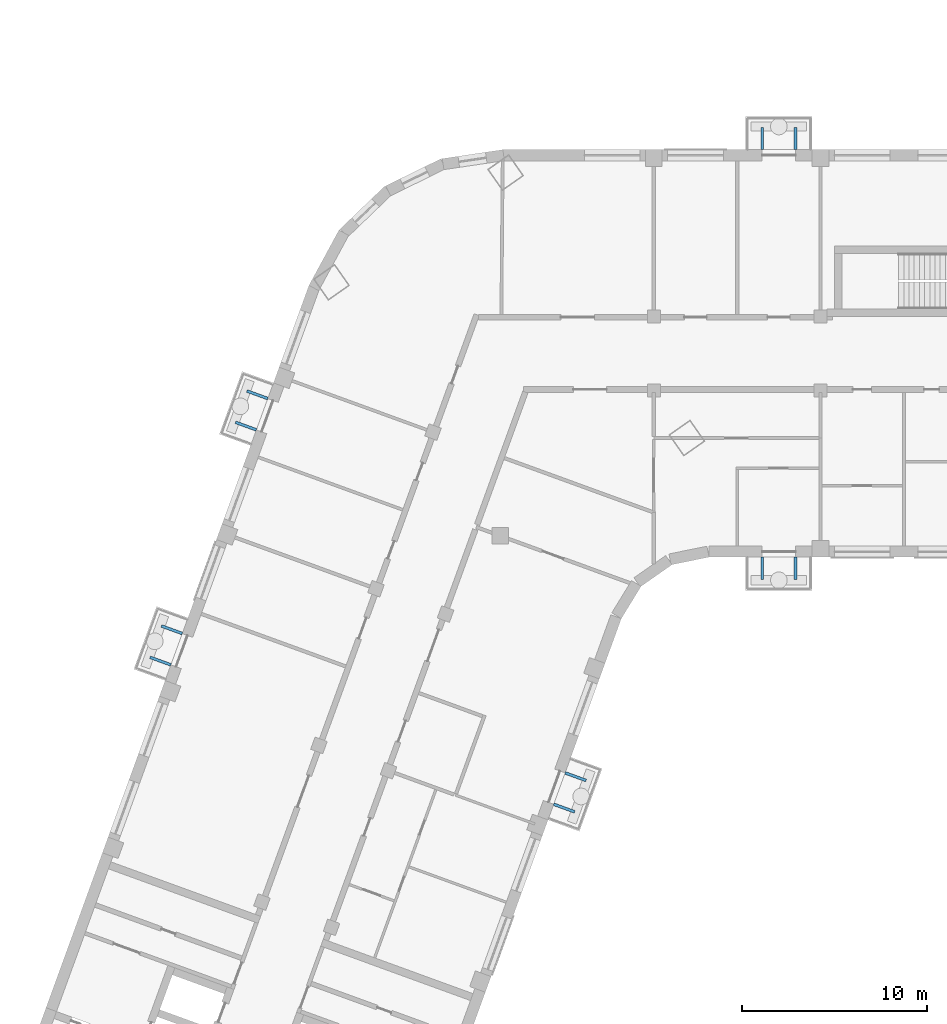
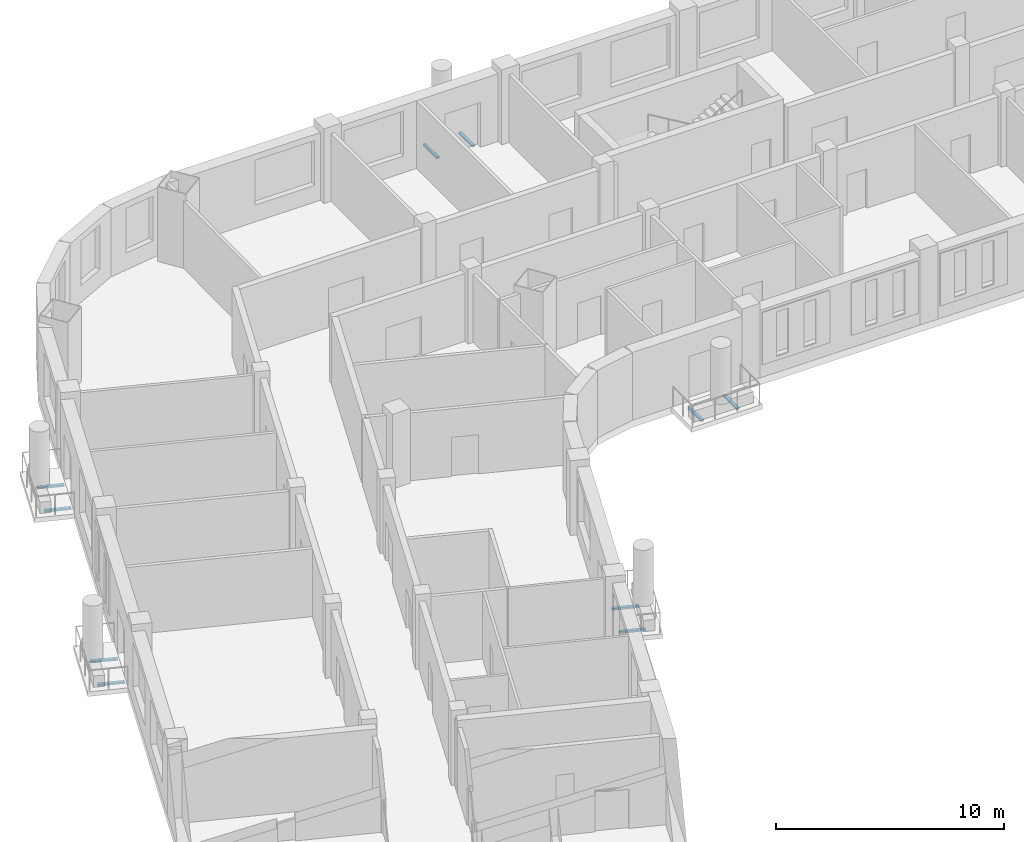
# One storey, part 12 of 16: 10 discrete accessories.
"""IFC4 building model written with IfcOpenShell, lengths in metres."""

from ifc_helpers import new_model, si_unit, direction, frame, origin, origin_2d, place, context, subcontext, project, spatial, rectangle, extrude, element, save


model = new_model("IFC4")

# Units and contexts
model_context = context("Model", 3, precision=1e-05, world=origin(), true_north=direction((0.0, 1.0)))
body_context = subcontext(model_context, "Body", "Model", "MODEL_VIEW")
ifc_project = project(units=[si_unit("LENGTHUNIT", "METRE"), si_unit("AREAUNIT", "SQUARE_METRE"), si_unit("VOLUMEUNIT", "CUBIC_METRE"), si_unit("PLANEANGLEUNIT", "RADIAN"), si_unit("MASSUNIT", "GRAM", prefix="KILO")], contexts=[model_context])

# Site, building, storey
site_placement = place(None, origin())
site = spatial("IfcSite", under=ifc_project, at=site_placement, CompositionType="ELEMENT")
building_placement = place(site_placement, origin())
building = spatial("IfcBuilding", under=site, at=building_placement, Name="Skarvind Civic Tower", CompositionType="ELEMENT")
storey_placement = place(building_placement, frame((0.0, 0.0, 67.5)))
storey = spatial("IfcBuildingStorey", under=building, at=storey_placement, Name="L15", CompositionType="ELEMENT", Elevation=67.5)

# Discrete accessories
for number, where, z_axis, x_axis, name in (
    (1, (50.02587890625, 105.144775390625, -0.35009765625), (0.0, 0.0, 1.0), (-0.342020143326, -0.939692620786, 0.0), "TREE BALCONY BRACKET"),
    (2, (49.41015625, 103.453369140625, -0.35009765625), (0.0, 0.0, 1.0), (-0.342020143326, -0.939692620786, 0.0), "TREE BALCONY BRACKET"),
    (3, (61.89990234375, 116.39990234375, -0.35009765625), (0.0, 0.0, 1.0), (-1.0, 0.0, 0.0), "TREE BALCONY BRACKET"),
    (4, (60.10009765625, 116.39990234375, -0.35009765625), (0.0, 0.0, 1.0), (-1.0, 0.0, 0.0), "TREE BALCONY BRACKET"),
    (5, (60.10009765625, 139.60009765625, -0.35009765625), (0.0, 0.0, 1.0), (1.0, 0.0, 0.0), "TREE BALCONY BRACKET"),
    (6, (61.89990234375, 139.60009765625, -0.35009765625), (0.0, 0.0, 1.0), (1.0, 0.0, 0.0), "TREE BALCONY BRACKET"),
    (7, (27.609375, 111.38818359375, -0.35009765625), (0.0, 0.0, 1.0), (0.342020143326, 0.939692620786, 0.0), "TREE BALCONY BRACKET"),
    (8, (28.22509765625, 113.07958984375, -0.35009765625), (0.0, 0.0, 1.0), (0.342020143326, 0.939692620786, 0.0), "TREE BALCONY BRACKET"),
    (9, (32.2265625, 124.07421875, -0.35009765625), (0.0, 0.0, 1.0), (0.342020143326, 0.939692620786, 0.0), "TREE BALCONY BRACKET"),
    (10, (32.84228515625, 125.765380859375, -0.35009765625), (0.0, 0.0, 1.0), (0.342020143326, 0.939692620786, 0.0), "TREE BALCONY BRACKET"),
):
    element("IfcDiscreteAccessory", number, at=place(storey_placement, frame(where, z_axis=z_axis, x_axis=x_axis)), inside=storey, Name=name, PredefinedType="BRACKET", context=body_context, shape_type="SweptSolid", body=[
        extrude(rectangle(XDim=0.14990234375, YDim=1.199951171875, at=origin_2d()), origin(), (0.0, 0.0, 1.0), 0.10009765625),
    ])

save(model, "model.ifc")
